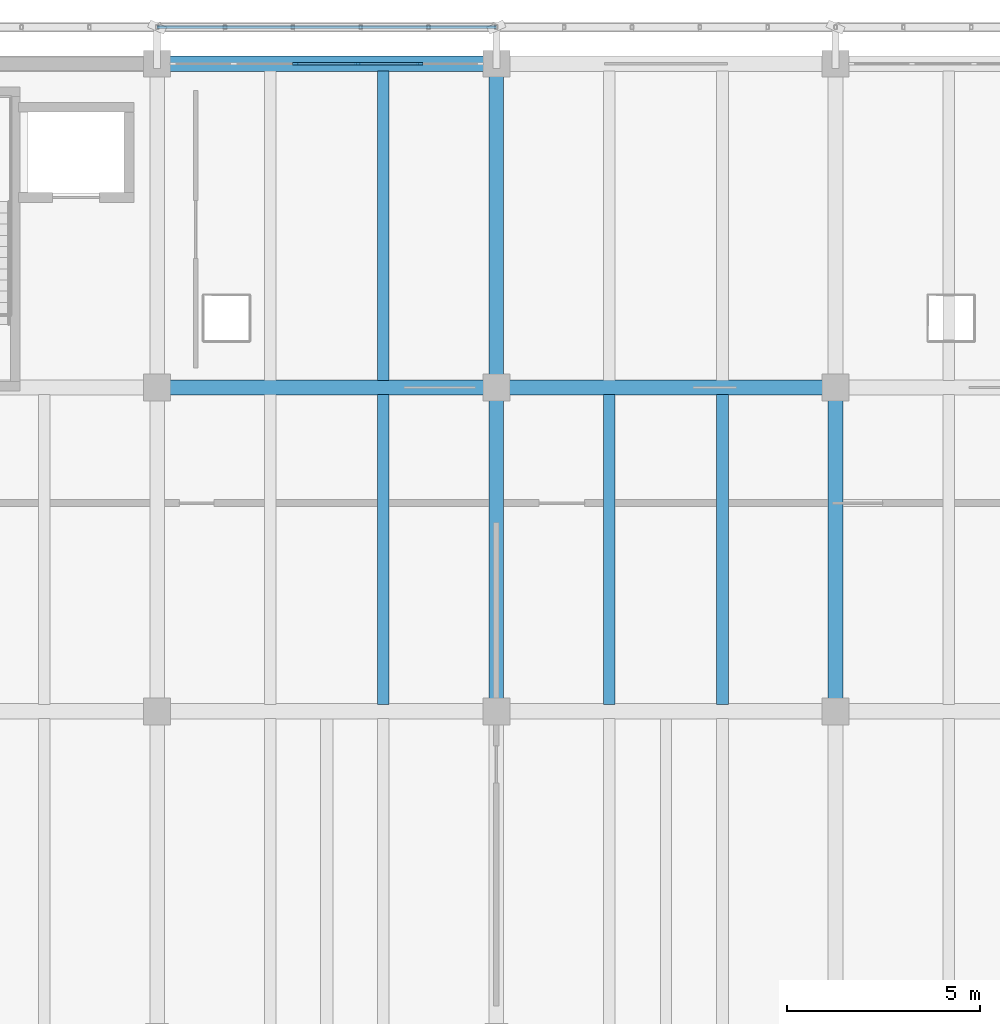
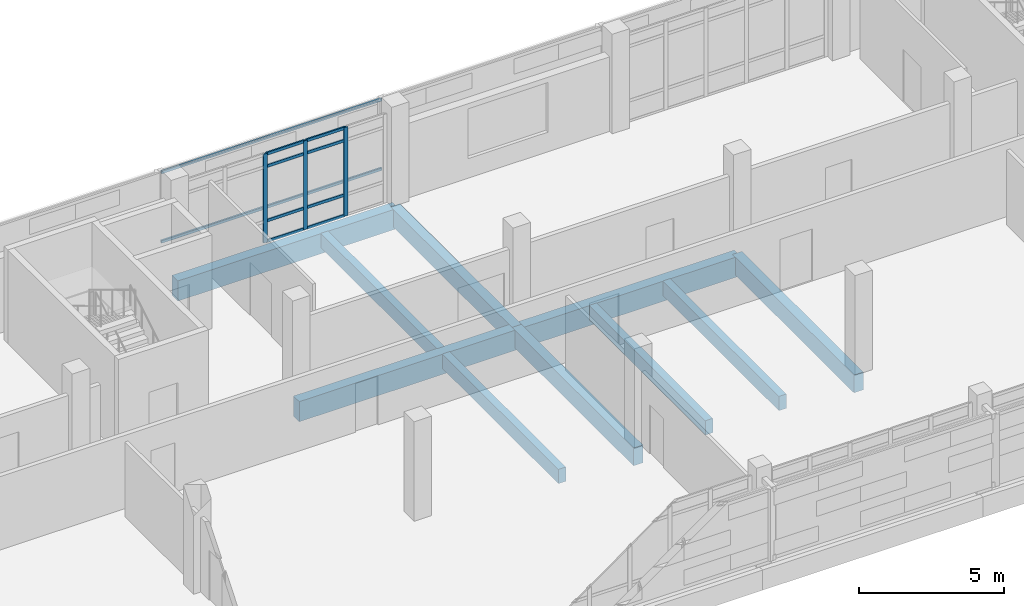
# One storey, part 69 of 137: 13 members, 10 beams, 1 element without a shape of its own.
"""IFC4 building model written with IfcOpenShell, lengths in metres."""

from ifc_helpers import new_model, si_unit, direction, frame, origin, origin_2d, place, context, subcontext, project, spatial, rectangle, hollow_rectangle, extrude, material, material_profile, profile_set, type_object, element, aggregate, save


model = new_model("IFC4")

# Units and contexts
model_context = context("Model", 3, precision=1e-05, world=origin(), true_north=direction((0.0, 1.0)))
body_context = subcontext(model_context, "Body", "Model", "MODEL_VIEW")
ifc_project = project(units=[si_unit("LENGTHUNIT", "METRE"), si_unit("AREAUNIT", "SQUARE_METRE"), si_unit("VOLUMEUNIT", "CUBIC_METRE"), si_unit("PLANEANGLEUNIT", "RADIAN"), si_unit("MASSUNIT", "GRAM", prefix="KILO")], contexts=[model_context])

# Site, building, storey
site_placement = place(None, origin())
site = spatial("IfcSite", under=ifc_project, at=site_placement, CompositionType="ELEMENT")
building_placement = place(site_placement, origin())
building = spatial("IfcBuilding", under=site, at=building_placement, Name="Cinderway Yard Community Centre", CompositionType="ELEMENT")
storey_placement = place(building_placement, frame((0.0, 0.0, 4.800048828125)))
storey = spatial("IfcBuildingStorey", under=building, at=storey_placement, Name="L01", CompositionType="ELEMENT", Elevation=4.800048828125)

# Curtain wall, members
ifc_material_1 = material(Name="Aluminium 6063-T6", Category="aluminium")
curtain_wall_type = type_object("IfcCurtainWallType", Name="ENV-CW-TYPE-27", PredefinedType="USERDEFINED", material=ifc_material_1)
curtain_wall_placement = place(storey_placement, origin())
curtain_wall = element("IfcCurtainWall", 1, at=curtain_wall_placement, inside=storey, type_object=curtain_wall_type, Name="V4 Street Curtain Wall ENV-CW-L01-ST-0129", ObjectType="GLAZED CURTAIN WALL", PredefinedType="USERDEFINED")
ifc_material_profile_1 = material_profile(ifc_material_1, rectangle(XDim=0.06005859375, YDim=0.159912109375, at=origin_2d()), Name="Aluminium 6063-T6")
ifc_profile_set_1 = profile_set([ifc_material_profile_1], Name="Aluminium 6063-T6")
member_type_1 = type_object("IfcMemberType", Name="ENV-CW-MULL-150", PredefinedType="MULLION", material=ifc_profile_set_1)
member_1_placement = place(storey_placement, frame((87.595947265625, 115.199951171875, 0.0), z_axis=(0.0, 0.0, 1.0), x_axis=(0.0, 1.0, 0.0)))
member_1 = element("IfcMember", 2, at=member_1_placement, type_object=member_type_1, Name="CW-27 mullion 3", PredefinedType="MULLION", context=body_context, shape_type="SweptSolid", body=[
    extrude(rectangle(XDim=0.06005859375, YDim=0.159912109375, at=origin_2d()), origin(), (0.0, 0.0, 1.0), 3.75),
])
member_2_placement = place(storey_placement, frame((89.2041015625, 115.199951171875, 0.0), z_axis=(0.0, 0.0, 1.0), x_axis=(0.0, 1.0, 0.0)))
member_2 = element("IfcMember", 3, at=member_2_placement, type_object=member_type_1, Name="CW-27 mullion 4", PredefinedType="MULLION", context=body_context, shape_type="SweptSolid", body=[
    extrude(rectangle(XDim=0.06005859375, YDim=0.159912109375, at=origin_2d()), origin(), (0.0, 0.0, 1.0), 3.75),
])
member_3_placement = place(storey_placement, frame((90.81201171875, 115.199951171875, 0.0), z_axis=(0.0, 0.0, 1.0), x_axis=(0.0, 1.0, 0.0)))
member_3 = element("IfcMember", 4, at=member_3_placement, type_object=member_type_1, Name="CW-27 mullion 5", PredefinedType="MULLION", context=body_context, shape_type="SweptSolid", body=[
    extrude(rectangle(XDim=0.06005859375, YDim=0.159912109375, at=origin_2d()), origin(), (0.0, 0.0, 1.0), 3.75),
])
ifc_material_profile_2 = material_profile(ifc_material_1, rectangle(XDim=0.06005859375, YDim=0.1201171875, at=origin_2d()), Name="Aluminium 6063-T6")
ifc_profile_set_2 = profile_set([ifc_material_profile_2], Name="Aluminium 6063-T6")
member_type_2 = type_object("IfcMemberType", Name="ENV-CW-TRAN-110", PredefinedType="USERDEFINED", material=ifc_profile_set_2)
member_4_placement = place(storey_placement, frame((87.6259765625, 115.199951171875, 0.030029296875), z_axis=(1.0, 0.0, 0.0), x_axis=(0.0, 1.0, 0.0)))
member_4 = element("IfcMember", 5, at=member_4_placement, type_object=member_type_2, Name="CW-27 transom 3.1", ObjectType="TRANSOM", PredefinedType="USERDEFINED", context=body_context, shape_type="SweptSolid", body=[
    extrude(rectangle(XDim=0.06005859375, YDim=0.1201171875, at=origin_2d()), origin(), (0.0, 0.0, 1.0), 1.548095703125),
])
member_5_placement = place(storey_placement, frame((87.6259765625, 115.199951171875, 0.89990234375), z_axis=(1.0, 0.0, 0.0), x_axis=(0.0, 1.0, 0.0)))
member_5 = element("IfcMember", 6, at=member_5_placement, type_object=member_type_2, Name="CW-27 transom 3.2", ObjectType="TRANSOM", PredefinedType="USERDEFINED", context=body_context, shape_type="SweptSolid", body=[
    extrude(rectangle(XDim=0.06005859375, YDim=0.1201171875, at=origin_2d()), origin(), (0.0, 0.0, 1.0), 1.548095703125),
])
member_6_placement = place(storey_placement, frame((87.6259765625, 115.199951171875, 3.199951171875), z_axis=(1.0, 0.0, 0.0), x_axis=(0.0, 1.0, 0.0)))
member_6 = element("IfcMember", 7, at=member_6_placement, type_object=member_type_2, Name="CW-27 transom 3.3", ObjectType="TRANSOM", PredefinedType="USERDEFINED", context=body_context, shape_type="SweptSolid", body=[
    extrude(rectangle(XDim=0.06005859375, YDim=0.1201171875, at=origin_2d()), origin(), (0.0, 0.0, 1.0), 1.548095703125),
])
member_7_placement = place(storey_placement, frame((87.6259765625, 115.199951171875, 3.719970703125), z_axis=(1.0, 0.0, 0.0), x_axis=(0.0, 1.0, 0.0)))
member_7 = element("IfcMember", 8, at=member_7_placement, type_object=member_type_2, Name="CW-27 transom 3.4", ObjectType="TRANSOM", PredefinedType="USERDEFINED", context=body_context, shape_type="SweptSolid", body=[
    extrude(rectangle(XDim=0.06005859375, YDim=0.1201171875, at=origin_2d()), origin(), (0.0, 0.0, 1.0), 1.548095703125),
])
member_8_placement = place(storey_placement, frame((89.23388671875, 115.199951171875, 0.030029296875), z_axis=(1.0, 0.0, 0.0), x_axis=(0.0, 1.0, 0.0)))
member_8 = element("IfcMember", 9, at=member_8_placement, type_object=member_type_2, Name="CW-27 transom 4.1", ObjectType="TRANSOM", PredefinedType="USERDEFINED", context=body_context, shape_type="SweptSolid", body=[
    extrude(rectangle(XDim=0.06005859375, YDim=0.1201171875, at=origin_2d()), origin(), (0.0, 0.0, 1.0), 1.548095703125),
])
member_9_placement = place(storey_placement, frame((89.23388671875, 115.199951171875, 0.89990234375), z_axis=(1.0, 0.0, 0.0), x_axis=(0.0, 1.0, 0.0)))
member_9 = element("IfcMember", 10, at=member_9_placement, type_object=member_type_2, Name="CW-27 transom 4.2", ObjectType="TRANSOM", PredefinedType="USERDEFINED", context=body_context, shape_type="SweptSolid", body=[
    extrude(rectangle(XDim=0.06005859375, YDim=0.1201171875, at=origin_2d()), origin(), (0.0, 0.0, 1.0), 1.548095703125),
])
member_10_placement = place(storey_placement, frame((89.23388671875, 115.199951171875, 3.199951171875), z_axis=(1.0, 0.0, 0.0), x_axis=(0.0, 1.0, 0.0)))
member_10 = element("IfcMember", 11, at=member_10_placement, type_object=member_type_2, Name="CW-27 transom 4.3", ObjectType="TRANSOM", PredefinedType="USERDEFINED", context=body_context, shape_type="SweptSolid", body=[
    extrude(rectangle(XDim=0.06005859375, YDim=0.1201171875, at=origin_2d()), origin(), (0.0, 0.0, 1.0), 1.548095703125),
])
member_11_placement = place(storey_placement, frame((89.23388671875, 115.199951171875, 3.719970703125), z_axis=(1.0, 0.0, 0.0), x_axis=(0.0, 1.0, 0.0)))
member_11 = element("IfcMember", 12, at=member_11_placement, type_object=member_type_2, Name="CW-27 transom 4.4", ObjectType="TRANSOM", PredefinedType="USERDEFINED", context=body_context, shape_type="SweptSolid", body=[
    extrude(rectangle(XDim=0.06005859375, YDim=0.1201171875, at=origin_2d()), origin(), (0.0, 0.0, 1.0), 1.548095703125),
])
aggregate(curtain_wall, [member_1, member_2, member_3, member_4, member_5, member_6, member_7, member_8, member_9, member_10, member_11])

# Members
ifc_material_2 = material(Name="Steel S355", Category="steel")
ifc_material_profile_3 = material_profile(ifc_material_2, hollow_rectangle(XDim=0.080078125, YDim=0.1201171875, WallThickness=0.00634765625, InnerFilletRadius=0.00634765625, OuterFilletRadius=0.0126953125, at=origin_2d()), Name="Steel S355")
ifc_profile_set_3 = profile_set([ifc_material_profile_3], Name="Steel S355")
member_type_3 = type_object("IfcMemberType", Name="ENV-MEM-SCREEN-RAIL-120", PredefinedType="STRINGER", material=ifc_profile_set_3)
for number, where, z_axis, x_axis, name in (
    (13, (84.0, 116.14990234375, 0.7099609375), (1.0, 0.0, 0.0), (0.0, 1.0, 0.0), "Screen support rail 0042-BOT"),
    (14, (84.0, 116.14990234375, 3.639892578125), (1.0, 0.0, 0.0), (0.0, 1.0, 0.0), "Screen support rail 0043-TOP"),
):
    element("IfcMember", number, at=place(storey_placement, frame(where, z_axis=z_axis, x_axis=x_axis)), inside=storey, type_object=member_type_3, Name=name, PredefinedType="STRINGER", context=body_context, shape_type="SweptSolid", body=[
        extrude(hollow_rectangle(XDim=0.080078125, YDim=0.1201171875, WallThickness=0.00634765625, InnerFilletRadius=0.00634765625, OuterFilletRadius=0.0126953125, at=origin_2d()), origin(), (0.0, 0.0, 1.0), 8.800048828125),
    ])

# Beams
ifc_material_3 = material(Name="Concrete C35/45", Category="concrete")
ifc_material_profile_4 = material_profile(ifc_material_3, rectangle(XDim=0.300048828125, YDim=0.60009765625, at=origin_2d()), Name="Concrete C35/45")
ifc_profile_set_4 = profile_set([ifc_material_profile_4], Name="Concrete C35/45")
beam_type_1 = type_object("IfcBeamType", Name="STR-BM-RC300X600", PredefinedType="JOIST", material=ifc_profile_set_4)
beam_1_placement = place(storey_placement, frame((89.866943359375, 98.58203125, -0.56005859375), z_axis=(0.0, 1.0, 0.0), x_axis=(-1.0, 0.0, 0.0)))
element("IfcBeam", 15, at=beam_1_placement, inside=storey, type_object=beam_type_1, Name="Secondary joist STR-BM-L01-BJ02-0288", PredefinedType="JOIST", context=body_context, shape_type="SweptSolid", body=[
    extrude(rectangle(XDim=0.300048828125, YDim=0.60009765625, at=origin_2d()), origin(), (0.0, 0.0, 1.0), 8.035888671875),
])
beam_2_placement = place(storey_placement, frame((89.866943359375, 106.98193359375, -0.56005859375), z_axis=(0.0, 1.0, 0.0), x_axis=(-1.0, 0.0, 0.0)))
element("IfcBeam", 16, at=beam_2_placement, inside=storey, type_object=beam_type_1, Name="Secondary joist STR-BM-L01-BJ02-0290", PredefinedType="JOIST", context=body_context, shape_type="SweptSolid", body=[
    extrude(rectangle(XDim=0.300048828125, YDim=0.60009765625, at=origin_2d()), origin(), (0.0, 0.0, 1.0), 8.0361328125),
])
for number, where, z_axis, x_axis, name in (
    (17, (95.73291015625, 98.58203125, -0.56005859375), (0.0, 1.0, 0.0), (-1.0, 0.0, 0.0), "Secondary joist STR-BM-L01-BJ02-0293"),
    (18, (98.6669921875, 98.58203125, -0.56005859375), (0.0, 1.0, 0.0), (-1.0, 0.0, 0.0), "Secondary joist STR-BM-L01-BJ02-0294"),
):
    element("IfcBeam", number, at=place(storey_placement, frame(where, z_axis=z_axis, x_axis=x_axis)), inside=storey, type_object=beam_type_1, Name=name, PredefinedType="JOIST", context=body_context, shape_type="SweptSolid", body=[
        extrude(rectangle(XDim=0.300048828125, YDim=0.60009765625, at=origin_2d()), origin(), (0.0, 0.0, 1.0), 8.035888671875),
    ])
ifc_material_profile_5 = material_profile(ifc_material_3, rectangle(XDim=0.3798828125, YDim=0.75, at=origin_2d()), Name="Concrete C35/45")
ifc_profile_set_5 = profile_set([ifc_material_profile_5], Name="Concrete C35/45")
beam_type_2 = type_object("IfcBeamType", Name="STR-BM-RC380X750", PredefinedType="BEAM", material=ifc_profile_set_5)
beam_3_placement = place(storey_placement, frame((92.800048828125, 98.39990234375, -0.635009765625), z_axis=(0.0, 1.0, 0.0), x_axis=(-1.0, 0.0, 0.0)))
element("IfcBeam", 19, at=beam_3_placement, inside=storey, type_object=beam_type_2, Name="Transverse girder STR-BM-L01-BG06-0239", PredefinedType="BEAM", context=body_context, shape_type="SweptSolid", body=[
    extrude(rectangle(XDim=0.3798828125, YDim=0.75, at=origin_2d()), origin(), (0.0, 0.0, 1.0), 8.400146484375),
])
beam_4_placement = place(storey_placement, frame((92.800048828125, 106.800048828125, -0.635009765625), z_axis=(0.0, 1.0, 0.0), x_axis=(-1.0, 0.0, 0.0)))
element("IfcBeam", 20, at=beam_4_placement, inside=storey, type_object=beam_type_2, Name="Transverse girder STR-BM-L01-BG06-0240", PredefinedType="BEAM", context=body_context, shape_type="SweptSolid", body=[
    extrude(rectangle(XDim=0.3798828125, YDim=0.75, at=origin_2d()), origin(), (0.0, 0.0, 1.0), 8.39990234375),
])
beam_5_placement = place(storey_placement, frame((101.60009765625, 98.39990234375, -0.635009765625), z_axis=(0.0, 1.0, 0.0), x_axis=(-1.0, 0.0, 0.0)))
element("IfcBeam", 21, at=beam_5_placement, inside=storey, type_object=beam_type_2, Name="Transverse girder STR-BM-L01-BG06-0242", PredefinedType="BEAM", context=body_context, shape_type="SweptSolid", body=[
    extrude(rectangle(XDim=0.3798828125, YDim=0.75, at=origin_2d()), origin(), (0.0, 0.0, 1.0), 8.400146484375),
])
ifc_material_4 = material(Name="Concrete C40/50", Category="concrete")
ifc_material_profile_6 = material_profile(ifc_material_4, rectangle(XDim=0.39990234375, YDim=0.85009765625, at=origin_2d()), Name="Concrete C40/50")
ifc_profile_set_6 = profile_set([ifc_material_profile_6], Name="Concrete C40/50")
beam_type_3 = type_object("IfcBeamType", Name="STR-BM-RC400X850", PredefinedType="BEAM", material=ifc_profile_set_6)
for number, where, z_axis, x_axis, name in (
    (22, (84.0, 106.800048828125, -0.68505859375), (1.0, 0.0, 0.0), (0.0, 1.0, 0.0), "Primary girder STR-BM-L01-BG04-0201"),
    (23, (92.800048828125, 106.800048828125, -0.68505859375), (1.0, 0.0, 0.0), (0.0, 1.0, 0.0), "Primary girder STR-BM-L01-BG04-0202"),
    (24, (84.0, 115.199951171875, -0.68505859375), (1.0, 0.0, 0.0), (0.0, 1.0, 0.0), "Primary girder STR-BM-L01-BG04-0213"),
):
    element("IfcBeam", number, at=place(storey_placement, frame(where, z_axis=z_axis, x_axis=x_axis)), inside=storey, type_object=beam_type_3, Name=name, PredefinedType="BEAM", context=body_context, shape_type="SweptSolid", body=[
        extrude(rectangle(XDim=0.39990234375, YDim=0.85009765625, at=origin_2d()), origin(), (0.0, 0.0, 1.0), 8.800048828125),
    ])

save(model, "model.ifc")
